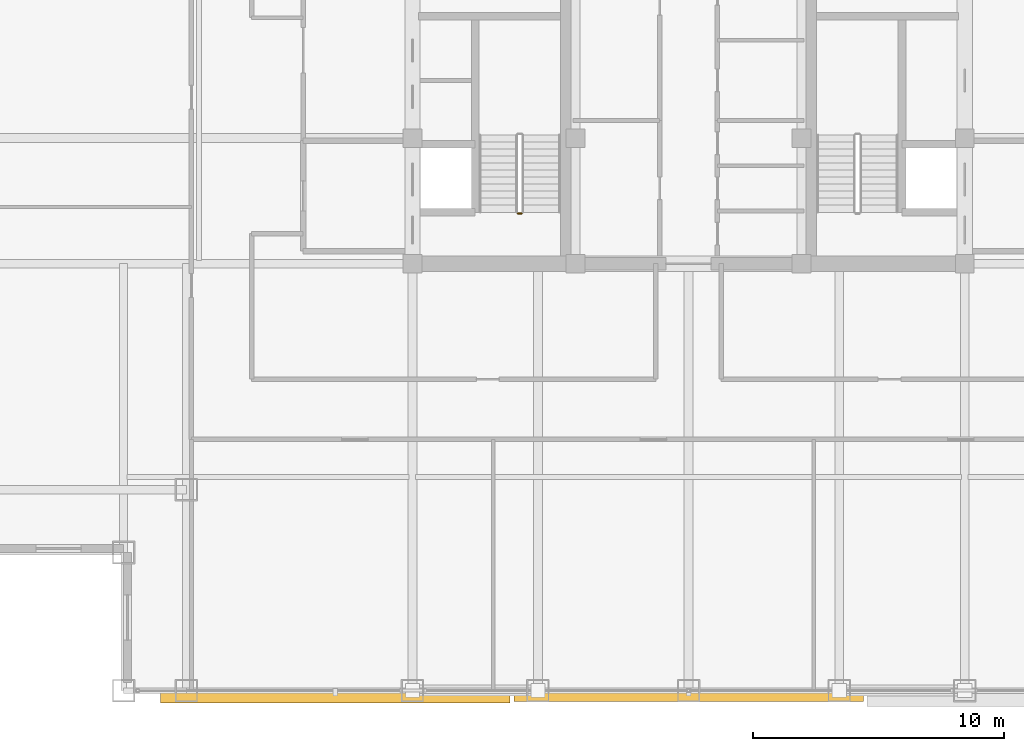
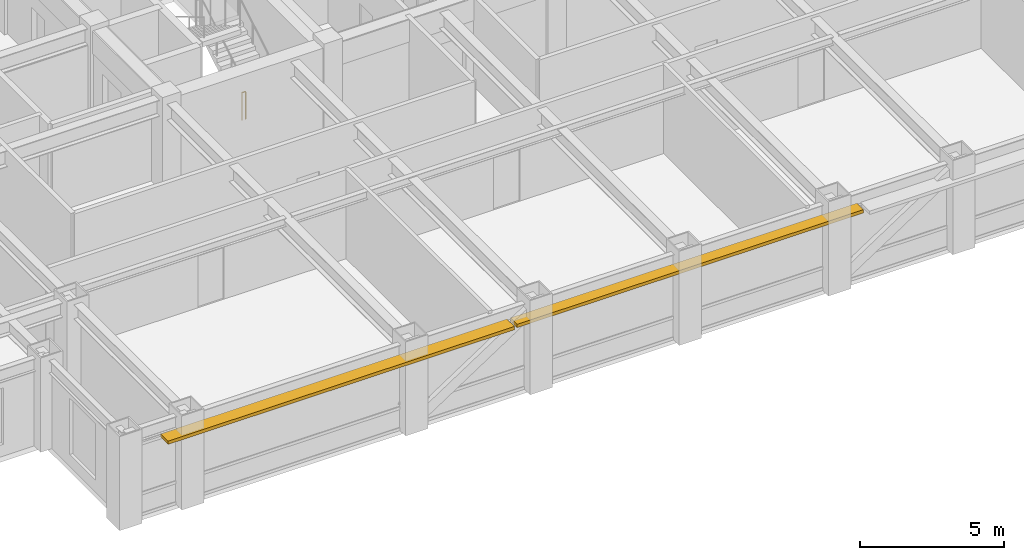
# One storey, part 23 of 27: 2 shading devices, 1 railing.
"""IFC4 building model written with IfcOpenShell, lengths in metres."""

from ifc_helpers import new_model, si_unit, direction, frame, origin, origin_2d, place, context, subcontext, project, spatial, rectangle, circle, extrude, source, transform, mapped, material, layer, layer_set, type_object, element, save


model = new_model("IFC4")

# Units and contexts
model_context = context("Model", 3, precision=1e-05, world=origin(), true_north=direction((0.0, 1.0)))
body_context = subcontext(model_context, "Body", "Model", "MODEL_VIEW")
ifc_project = project(units=[si_unit("LENGTHUNIT", "METRE"), si_unit("AREAUNIT", "SQUARE_METRE"), si_unit("VOLUMEUNIT", "CUBIC_METRE"), si_unit("PLANEANGLEUNIT", "RADIAN"), si_unit("MASSUNIT", "GRAM", prefix="KILO")], contexts=[model_context])

# Site, building, storey
site_placement = place(None, origin())
site = spatial("IfcSite", under=ifc_project, at=site_placement, CompositionType="ELEMENT")
building_placement = place(site_placement, origin())
building = spatial("IfcBuilding", under=site, at=building_placement, Name="Khorayat Bourse Tower", CompositionType="ELEMENT")
storey_placement = place(building_placement, frame((0.0, 0.0, 317.5)))
storey = spatial("IfcBuildingStorey", under=building, at=storey_placement, Name="L75", CompositionType="ELEMENT", Elevation=317.5)

# Shading devices
ifc_material_1 = material(Name="Precast concrete C45/55", Category="concrete")
ifc_layer = layer(ifc_material_1, 0.139892578125)
ifc_layer_set = layer_set([ifc_layer], Name="Precast concrete C45/55")
shading_device_type = type_object("IfcShadingDeviceType", Name="SHD-WAVE-TRAY-A", PredefinedType="USERDEFINED", material=ifc_layer_set)
shared_shape_1 = source(origin(), body_context, "Body", "SweptSolid", [
    extrude(rectangle(XDim=13.9267578125, YDim=0.523193359375, at=origin_2d()), origin(), (0.0, 0.0, 1.0), 0.139892578125),
])
shading_device_1_placement = place(storey_placement, frame((-14.066650390625, -28.24169921875, 3.0302734375), z_axis=(0.0, 0.0, 1.0), x_axis=(1.0, 0.0, 0.0)))
element("IfcShadingDevice", 1, at=shading_device_1_placement, inside=storey, type_object=shading_device_type, Name="L75 Sinusoidal Wave Sunshade Tray S-1", ObjectType="SUNSHADE", PredefinedType="USERDEFINED", context=body_context, shape_type="MappedRepresentation", body=[
    mapped(shared_shape_1, transform((0.0, 0.0, 0.0), scale=1.0)),
])
shared_shape_2 = source(origin(), body_context, "Body", "SweptSolid", [
    extrude(rectangle(XDim=13.9267578125, YDim=0.458984375, at=origin_2d()), origin(), (0.0, 0.0, 1.0), 0.139892578125),
])
shading_device_2_placement = place(storey_placement, frame((0.0, -28.209716796875, 3.0302734375), z_axis=(0.0, 0.0, 1.0), x_axis=(1.0, 0.0, 0.0)))
element("IfcShadingDevice", 2, at=shading_device_2_placement, inside=storey, type_object=shading_device_type, Name="L75 Sinusoidal Wave Sunshade Tray S-2", ObjectType="SUNSHADE", PredefinedType="USERDEFINED", context=body_context, shape_type="MappedRepresentation", body=[
    mapped(shared_shape_2, transform((0.0, 0.0, 0.0), scale=1.0)),
])

# Railing
ifc_material_2 = material(Name="Powder-coated steel balustrade", Category="steel")
railing_type = type_object("IfcRailingType", Name="RLG-GUARD-1200", PredefinedType="GUARDRAIL", material=ifc_material_2)
shared_shape_3 = source(origin(), body_context, "Body", "SweptSolid", [
    extrude(circle(Radius=0.02392578125, at=origin_2d()), frame((0.0, 0.0, 1.17578125), z_axis=(-1.0, 0.0, 0.0), x_axis=(0.0, -1.0, 0.0)), (0.0, 0.0, 1.0), 0.150146484375),
    extrude(circle(Radius=0.02099609375, at=origin_2d()), origin(), (0.0, 0.0, 1.0), 1.15185546875),
    extrude(circle(Radius=0.02099609375, at=origin_2d()), frame((-0.150146484375, 0.0, 0.0)), (0.0, 0.0, 1.0), 1.15185546875),
])
railing_placement = place(storey_placement, frame((-6.64990234375, -9.0, 0.0)))
element("IfcRailing", 3, at=railing_placement, inside=storey, type_object=railing_type, Name="L75 ST-1 stair guard 4", PredefinedType="GUARDRAIL", context=body_context, shape_type="MappedRepresentation", body=[
    mapped(shared_shape_3, transform((0.0, 0.0, 0.0), scale=1.0)),
])

save(model, "model.ifc")
